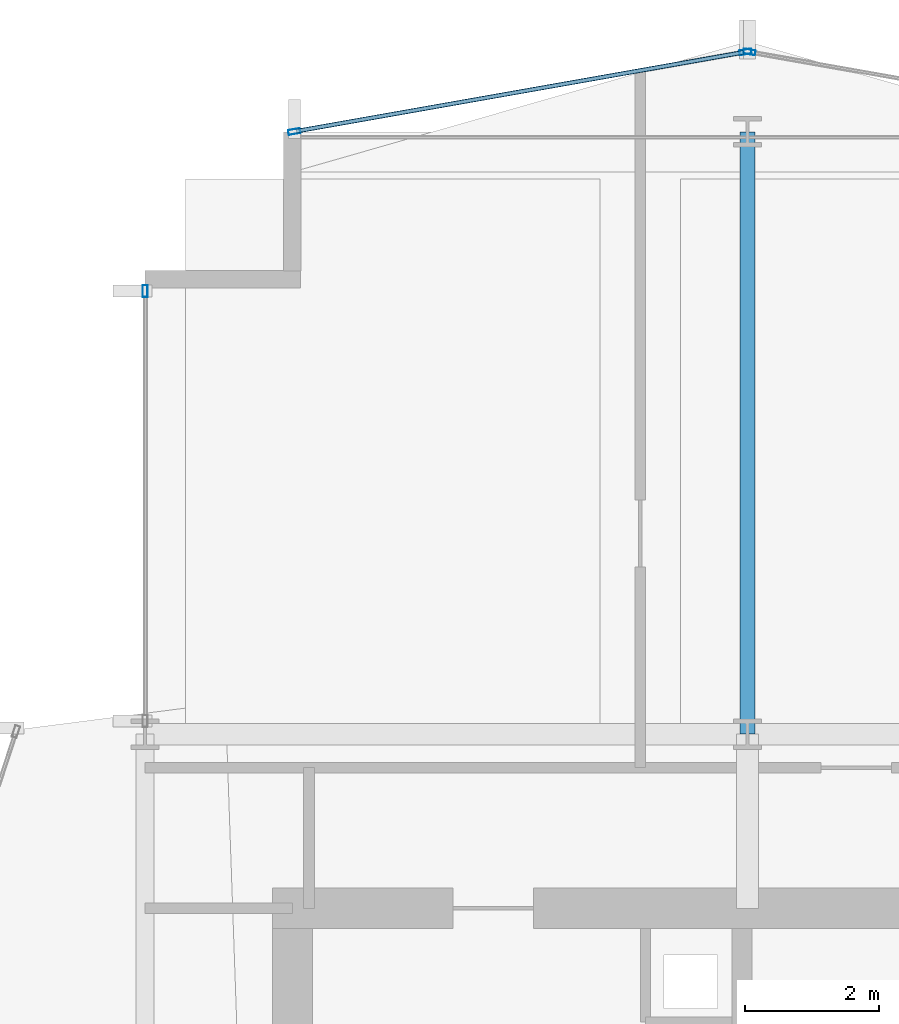
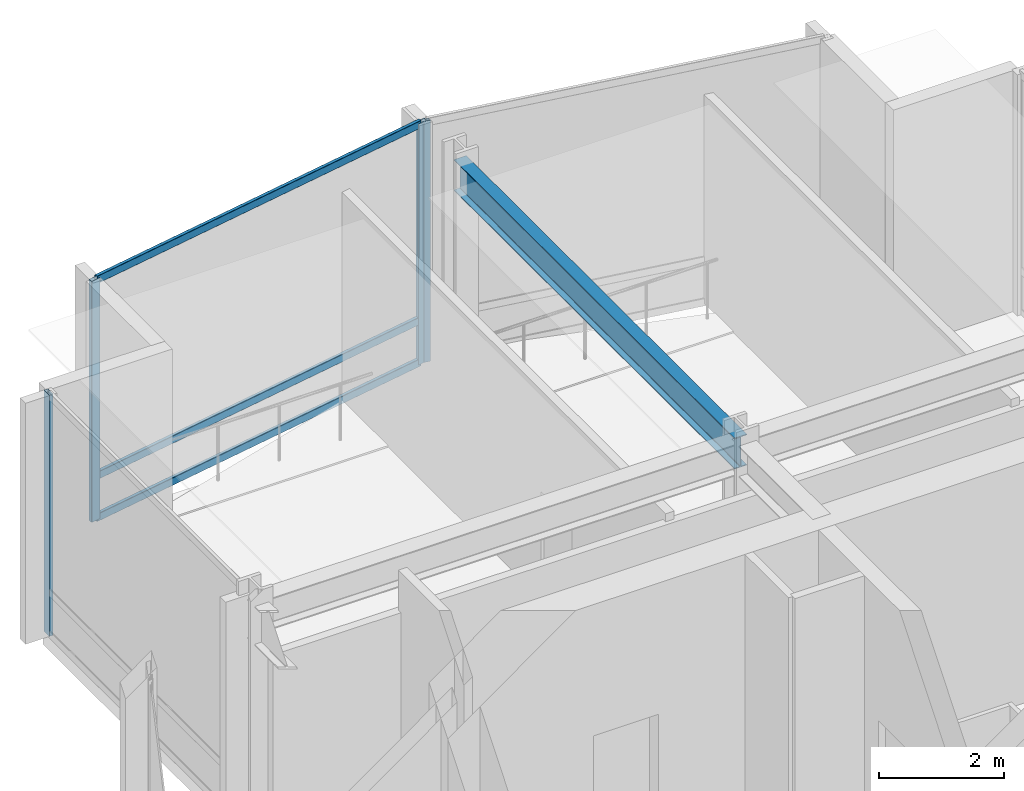
# One storey, part 19 of 33: 7 members, 1 beam, 3 elements without a shape of their own.
"""IFC4 building model written with IfcOpenShell, lengths in metres."""

from ifc_helpers import new_model, si_unit, direction, frame, origin, origin_2d, place, context, subcontext, project, spatial, hollow_rectangle, i_section, extrude, material, layer, layer_set, material_profile, profile_set, type_object, element, aggregate, save


model = new_model("IFC4")

# Units and contexts
model_context = context("Model", 3, precision=1e-05, world=origin(), true_north=direction((0.0, 1.0)))
body_context = subcontext(model_context, "Body", "Model", "MODEL_VIEW")
ifc_project = project(units=[si_unit("LENGTHUNIT", "METRE"), si_unit("AREAUNIT", "SQUARE_METRE"), si_unit("VOLUMEUNIT", "CUBIC_METRE"), si_unit("PLANEANGLEUNIT", "RADIAN"), si_unit("MASSUNIT", "GRAM", prefix="KILO")], contexts=[model_context])

# Site, building, storey
site_placement = place(None, origin())
site = spatial("IfcSite", under=ifc_project, at=site_placement, CompositionType="ELEMENT")
building_placement = place(site_placement, origin())
building = spatial("IfcBuilding", under=site, at=building_placement, Name="Solvaryn Broadcast Tower", CompositionType="ELEMENT")
storey_placement = place(building_placement, frame((0.0, 0.0, 105.0)))
storey = spatial("IfcBuildingStorey", under=building, at=storey_placement, Name="L25", CompositionType="ELEMENT", Elevation=105.0)

# Beam
ifc_material_1 = material(Name="Steel ASTM A992 Grade 50", Category="steel")
ifc_material_profile_1 = material_profile(ifc_material_1, i_section(OverallWidth=0.22802734375, OverallDepth=0.60791015625, WebThickness=0.01123046875, FlangeThickness=0.017333984375, FilletRadius=0.014892578125, at=origin_2d()))
ifc_profile_set_1 = profile_set([ifc_material_profile_1], Name="Steel ASTM A992 Grade 50")
beam_type = type_object("IfcBeamType", Name="BM-B2-W24X76", PredefinedType="BEAM", material=ifc_profile_set_1)
beam_placement = place(storey_placement, frame((18.0, 45.0, 4.416015625), z_axis=(0.0, 1.0, 0.0), x_axis=(-1.0, 0.0, 0.0)))
element("IfcBeam", 1, at=beam_placement, inside=storey, type_object=beam_type, Name="L25 Primary Beam Y (45-54 @ X=18)", PredefinedType="BEAM", context=body_context, shape_type="SweptSolid", body=[
    extrude(i_section(OverallWidth=0.22802734375, OverallDepth=0.60791015625, WebThickness=0.01123046875, FlangeThickness=0.017333984375, FilletRadius=0.014892578125, at=origin_2d()), origin(), (0.0, 0.0, 1.0), 9.0),
])

# Curtain wall, member
ifc_material_2 = material(Name="Aluminium and Terracotta Unitised Curtain Wall", Category="masonry")
ifc_layer = layer(ifc_material_2, 0.25)
ifc_layer_set = layer_set([ifc_layer], Name="CW-SYS4-SKYGARDEN")
curtain_wall_type = type_object("IfcCurtainWallType", Name="CW-SYS4-SKYGARDEN", PredefinedType="NOTDEFINED", material=ifc_layer_set)
curtain_wall_1_placement = place(storey_placement, origin())
curtain_wall_1 = element("IfcCurtainWall", 2, at=curtain_wall_1_placement, inside=storey, type_object=curtain_wall_type, Name="L25 Curtain Wall W2", PredefinedType="NOTDEFINED")
ifc_material_3 = material(Name="Anodised Aluminium 6063-T6", Category="aluminium")
ifc_material_profile_2 = material_profile(ifc_material_3, hollow_rectangle(XDim=0.074951171875, YDim=0.179931640625, WallThickness=0.00390625, InnerFilletRadius=0.00390625, OuterFilletRadius=0.008056640625, at=origin_2d()))
ifc_profile_set_2 = profile_set([ifc_material_profile_2], Name="Anodised Aluminium 6063-T6")
member_type_1 = type_object("IfcMemberType", Name="CW-MUL-180", PredefinedType="MULLION", material=ifc_profile_set_2)
member_1_placement = place(storey_placement, frame((9.0, 51.6201171875, 0.0), z_axis=(0.0, 0.0, 1.0), x_axis=(-1.0, 0.0, 0.0)))
member_1 = element("IfcMember", 3, at=member_1_placement, type_object=member_type_1, Name="CWS4 mullion 2", PredefinedType="MULLION", context=body_context, shape_type="SweptSolid", body=[
    extrude(hollow_rectangle(XDim=0.074951171875, YDim=0.179931640625, WallThickness=0.00390625, InnerFilletRadius=0.00390625, OuterFilletRadius=0.008056640625, at=origin_2d()), origin(), (0.0, 0.0, 1.0), 4.719970703125),
])
aggregate(curtain_wall_1, [member_1])

curtain_wall_2_placement = place(storey_placement, origin())
curtain_wall_2 = element("IfcCurtainWall", 4, at=curtain_wall_2_placement, inside=storey, type_object=curtain_wall_type, Name="L25 Curtain Wall NT1", PredefinedType="NOTDEFINED")
member_2_placement = place(storey_placement, frame((18.029541015625, 55.19482421875, 0.0), z_axis=(0.0, 0.0, 1.0), x_axis=(-0.173785333901, -0.984783558819, 0.0)))
member_2 = element("IfcMember", 5, at=member_2_placement, type_object=member_type_1, Name="CWS4 mullion 2", PredefinedType="MULLION", context=body_context, shape_type="SweptSolid", body=[
    extrude(hollow_rectangle(XDim=0.074951171875, YDim=0.179931640625, WallThickness=0.00390625, InnerFilletRadius=0.00390625, OuterFilletRadius=0.008056640625, at=origin_2d()), origin(), (0.0, 0.0, 1.0), 4.719970703125),
])
aggregate(curtain_wall_2, [member_2])

# Curtain wall, members
curtain_wall_3_placement = place(storey_placement, origin())
curtain_wall_3 = element("IfcCurtainWall", 6, at=curtain_wall_3_placement, inside=storey, type_object=curtain_wall_type, Name="L25 Curtain Wall NT2", PredefinedType="NOTDEFINED")
member_3_placement = place(storey_placement, frame((17.970458984375, 55.19482421875, 0.0), z_axis=(0.0, 0.0, 1.0), x_axis=(0.173785333901, -0.984783558819, 0.0)))
member_3 = element("IfcMember", 7, at=member_3_placement, type_object=member_type_1, Name="CWS4 mullion 1", PredefinedType="MULLION", context=body_context, shape_type="SweptSolid", body=[
    extrude(hollow_rectangle(XDim=0.074951171875, YDim=0.179931640625, WallThickness=0.00390625, InnerFilletRadius=0.00390625, OuterFilletRadius=0.008056640625, at=origin_2d()), origin(), (0.0, 0.0, 1.0), 4.719970703125),
])
member_4_placement = place(storey_placement, frame((11.2294921875, 54.005126953125, 0.0), z_axis=(0.0, 0.0, 1.0), x_axis=(0.173785333901, -0.984783558819, 0.0)))
member_4 = element("IfcMember", 8, at=member_4_placement, type_object=member_type_1, Name="CWS4 mullion 2", PredefinedType="MULLION", context=body_context, shape_type="SweptSolid", body=[
    extrude(hollow_rectangle(XDim=0.074951171875, YDim=0.179931640625, WallThickness=0.00390625, InnerFilletRadius=0.00390625, OuterFilletRadius=0.008056640625, at=origin_2d()), origin(), (0.0, 0.0, 1.0), 4.719970703125),
])
ifc_material_4 = material(Name="Anodised Aluminium 6063-T6", Category="aluminium")
ifc_material_profile_3 = material_profile(ifc_material_4, hollow_rectangle(XDim=0.06494140625, YDim=0.14990234375, WallThickness=0.00390625, InnerFilletRadius=0.00390625, OuterFilletRadius=0.008056640625, at=origin_2d()))
ifc_profile_set_3 = profile_set([ifc_material_profile_3], Name="Anodised Aluminium 6063-T6")
member_type_2 = type_object("IfcMemberType", Name="CW-TRN-150", PredefinedType="USERDEFINED", material=ifc_profile_set_3)
member_5_placement = place(storey_placement, frame((17.94091796875, 55.189453125, 0.030029296875), z_axis=(-0.984788629673, -0.173756596613, 0.0), x_axis=(0.173756596613, -0.984788629673, 0.0)))
member_5 = element("IfcMember", 9, at=member_5_placement, type_object=member_type_2, Name="CWS4 transom 1.1", ObjectType="TRANSOM", PredefinedType="USERDEFINED", context=body_context, shape_type="SweptSolid", body=[
    extrude(hollow_rectangle(XDim=0.06494140625, YDim=0.14990234375, WallThickness=0.00390625, InnerFilletRadius=0.00390625, OuterFilletRadius=0.008056640625, at=origin_2d()), origin(), (0.0, 0.0, 1.0), 6.78515625),
])
member_6_placement = place(storey_placement, frame((17.94091796875, 55.189453125, 0.85009765625), z_axis=(-0.984788629673, -0.173756596613, 0.0), x_axis=(0.173756596613, -0.984788629673, 0.0)))
member_6 = element("IfcMember", 10, at=member_6_placement, type_object=member_type_2, Name="CWS4 transom 1.2", ObjectType="TRANSOM", PredefinedType="USERDEFINED", context=body_context, shape_type="SweptSolid", body=[
    extrude(hollow_rectangle(XDim=0.06494140625, YDim=0.14990234375, WallThickness=0.00390625, InnerFilletRadius=0.00390625, OuterFilletRadius=0.008056640625, at=origin_2d()), origin(), (0.0, 0.0, 1.0), 6.78515625),
])
member_7_placement = place(storey_placement, frame((17.94091796875, 55.189453125, 4.68994140625), z_axis=(-0.984788629673, -0.173756596613, 0.0), x_axis=(0.173756596613, -0.984788629673, 0.0)))
member_7 = element("IfcMember", 11, at=member_7_placement, type_object=member_type_2, Name="CWS4 transom 1.3", ObjectType="TRANSOM", PredefinedType="USERDEFINED", context=body_context, shape_type="SweptSolid", body=[
    extrude(hollow_rectangle(XDim=0.06494140625, YDim=0.14990234375, WallThickness=0.00390625, InnerFilletRadius=0.00390625, OuterFilletRadius=0.008056640625, at=origin_2d()), origin(), (0.0, 0.0, 1.0), 6.78515625),
])
aggregate(curtain_wall_3, [member_3, member_4, member_5, member_6, member_7])

save(model, "model.ifc")
